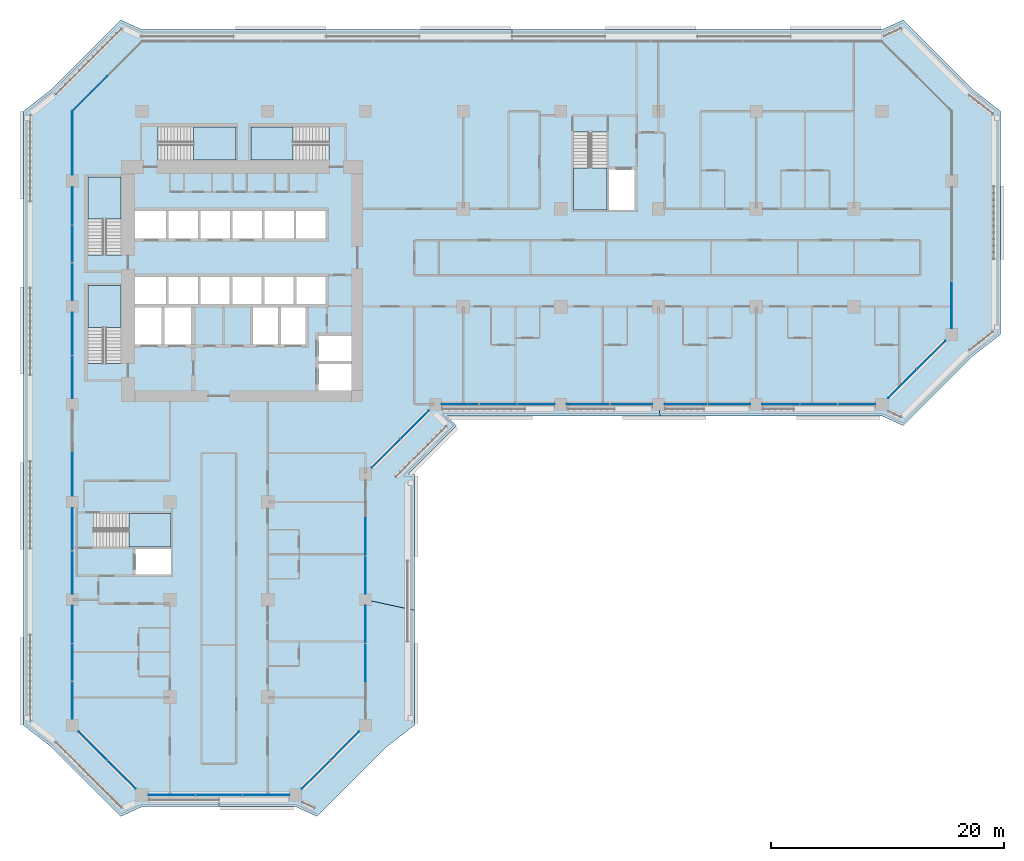
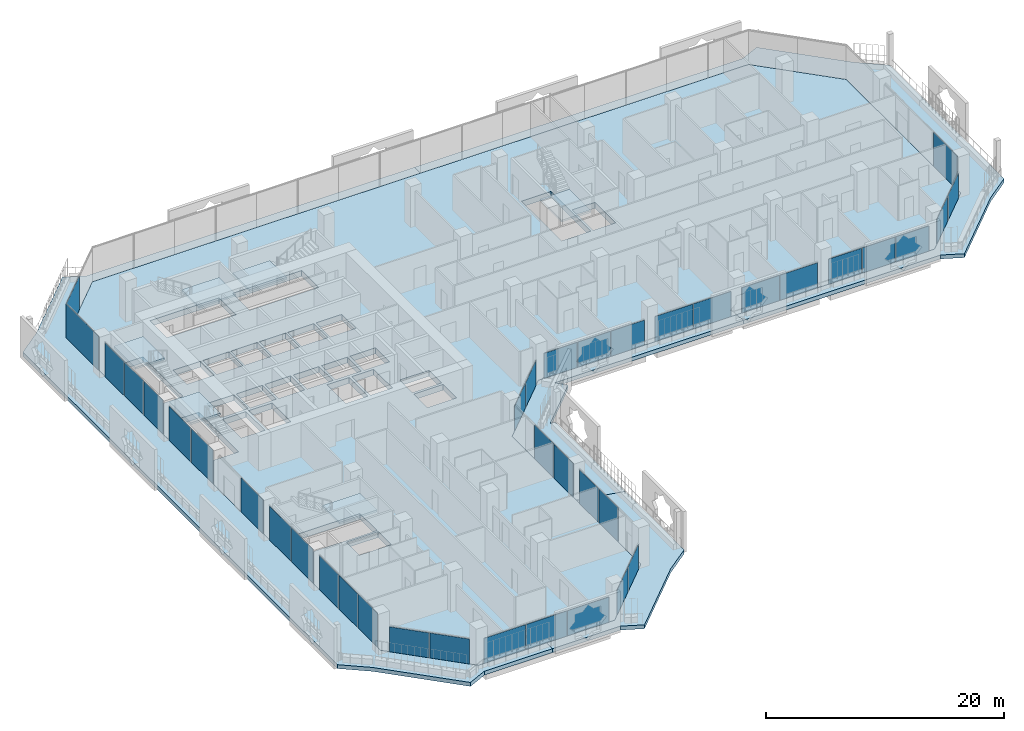
# One storey, part 10 of 25: 39 plates, 11 slabs, 16 elements without a shape of their own.
"""IFC4 building model written with IfcOpenShell, lengths in metres."""

from ifc_helpers import new_model, si_unit, direction, frame, origin, origin_2d, place, context, subcontext, project, spatial, polyline, rectangle, outline, extrude, material, layer, layer_set, type_object, element, aggregate, save


model = new_model("IFC4")

# Units and contexts
model_context = context("Model", 3, precision=1e-05, world=origin(), true_north=direction((0.0, 1.0)))
body_context = subcontext(model_context, "Body", "Model", "MODEL_VIEW")
ifc_project = project(units=[si_unit("LENGTHUNIT", "METRE"), si_unit("AREAUNIT", "SQUARE_METRE"), si_unit("VOLUMEUNIT", "CUBIC_METRE"), si_unit("PLANEANGLEUNIT", "RADIAN"), si_unit("MASSUNIT", "GRAM", prefix="KILO")], contexts=[model_context])

# Site, building, storey
site_placement = place(None, origin())
site = spatial("IfcSite", under=ifc_project, at=site_placement, CompositionType="ELEMENT")
building_placement = place(site_placement, origin())
building = spatial("IfcBuilding", under=site, at=building_placement, Name="Kawkab Arch Medical Tower", CompositionType="ELEMENT")
storey_placement = place(building_placement, frame((0.0, 0.0, 132.39990234375)))
storey = spatial("IfcBuildingStorey", under=building, at=storey_placement, Name="L30", CompositionType="ELEMENT", Elevation=132.39990234375)

# Curtain wall, plates
ifc_material_1 = material(Name="Bronze anodised aluminium curtain wall frame", Category="aluminium")
ifc_layer_1 = layer(ifc_material_1, 0.159912109375)
ifc_layer_set_1 = layer_set([ifc_layer_1], Name="Bronze anodised aluminium curtain wall frame")
curtain_wall_type_1 = type_object("IfcCurtainWallType", Name="CW1 ward curtain wall", PredefinedType="NOTDEFINED", material=ifc_layer_set_1)
placement_1 = place(storey_placement, origin())
curtain_wall_1 = element("IfcCurtainWall", 1, at=placement_1, inside=storey, type_object=curtain_wall_type_1, Name="CW1 Ward curtain wall R01", PredefinedType="NOTDEFINED")
ifc_material_2 = material(Name="Tinted insulating glass, bronze low-e coating", Category="glass")
ifc_layer_2 = layer(ifc_material_2, 0.031982421875)
ifc_layer_set_2 = layer_set([ifc_layer_2], Name="Tinted insulating glass, bronze low-e coating")
plate_type_1 = type_object("IfcPlateType", Name="CW1 glazing unit 32", PredefinedType="CURTAIN_PANEL", material=ifc_layer_set_2)
plate_1_placement = place(storey_placement, frame((0.0, -2.72509765625, 0.0), z_axis=(0.0, 0.0, 1.0), x_axis=(0.0, -1.0, 0.0)))
plate_1 = element("IfcPlate", 2, at=plate_1_placement, type_object=plate_type_1, Name="CW1 glazing unit 1.1", PredefinedType="CURTAIN_PANEL", context=body_context, shape_type="SweptSolid", body=[
    extrude(rectangle(XDim=5.449951171875, YDim=0.031982421875, at=origin_2d()), origin(), (0.0, 0.0, 1.0), 3.47998046875),
])
plate_2_placement = place(storey_placement, frame((0.0, -8.15576171875, 0.0), z_axis=(0.0, 0.0, 1.0), x_axis=(0.0, -1.0, 0.0)))
plate_2 = element("IfcPlate", 3, at=plate_2_placement, type_object=plate_type_1, Name="CW1 glazing unit 2.1", PredefinedType="CURTAIN_PANEL", context=body_context, shape_type="SweptSolid", body=[
    extrude(rectangle(XDim=3.211669921875, YDim=0.031982421875, at=origin_2d()), origin(), (0.0, 0.0, 1.0), 3.47998046875),
])
plate_3_placement = place(storey_placement, frame((0.0, -11.41259765625, 0.0), z_axis=(0.0, 0.0, 1.0), x_axis=(0.0, -1.0, 0.0)))
plate_3 = element("IfcPlate", 4, at=plate_3_placement, type_object=plate_type_1, Name="CW1 glazing unit 2.2", PredefinedType="CURTAIN_PANEL", context=body_context, shape_type="SweptSolid", body=[
    extrude(rectangle(XDim=3.181640625, YDim=0.031982421875, at=origin_2d()), origin(), (0.0, 0.0, 1.0), 3.47998046875),
])
plate_4_placement = place(storey_placement, frame((0.0, -14.669189453125, 0.0), z_axis=(0.0, 0.0, 1.0), x_axis=(0.0, -1.0, 0.0)))
plate_4 = element("IfcPlate", 5, at=plate_4_placement, type_object=plate_type_1, Name="CW1 glazing unit 2.3", PredefinedType="CURTAIN_PANEL", context=body_context, shape_type="SweptSolid", body=[
    extrude(rectangle(XDim=3.211669921875, YDim=0.031982421875, at=origin_2d()), origin(), (0.0, 0.0, 1.0), 3.47998046875),
])
plate_5_placement = place(storey_placement, frame((0.0, -19.1474609375, 0.0), z_axis=(0.0, 0.0, 1.0), x_axis=(0.0, -1.0, 0.0)))
plate_5 = element("IfcPlate", 6, at=plate_5_placement, type_object=plate_type_1, Name="CW1 glazing unit 3.1", PredefinedType="CURTAIN_PANEL", context=body_context, shape_type="SweptSolid", body=[
    extrude(rectangle(XDim=3.64501953125, YDim=0.031982421875, at=origin_2d()), origin(), (0.0, 0.0, 1.0), 3.47998046875),
])
plate_6_placement = place(storey_placement, frame((0.0, -22.8525390625, 0.0), z_axis=(0.0, 0.0, 1.0), x_axis=(0.0, -1.0, 0.0)))
plate_6 = element("IfcPlate", 7, at=plate_6_placement, type_object=plate_type_1, Name="CW1 glazing unit 3.2", PredefinedType="CURTAIN_PANEL", context=body_context, shape_type="SweptSolid", body=[
    extrude(rectangle(XDim=3.64501953125, YDim=0.031982421875, at=origin_2d()), origin(), (0.0, 0.0, 1.0), 3.47998046875),
])
plate_7_placement = place(storey_placement, frame((0.0, -31.237548828125, 0.0), z_axis=(0.0, 0.0, 1.0), x_axis=(0.0, -1.0, 0.0)))
plate_7 = element("IfcPlate", 8, at=plate_7_placement, type_object=plate_type_1, Name="CW1 glazing unit 4.2", PredefinedType="CURTAIN_PANEL", context=body_context, shape_type="SweptSolid", body=[
    extrude(rectangle(XDim=3.675048828125, YDim=0.031982421875, at=origin_2d()), origin(), (0.0, 0.0, 1.0), 3.47998046875),
])
plate_8_placement = place(storey_placement, frame((0.0, -35.947509765625, 0.0), z_axis=(0.0, 0.0, 1.0), x_axis=(0.0, -1.0, 0.0)))
plate_8 = element("IfcPlate", 9, at=plate_8_placement, type_object=plate_type_1, Name="CW1 glazing unit 5.1", PredefinedType="CURTAIN_PANEL", context=body_context, shape_type="SweptSolid", body=[
    extrude(rectangle(XDim=3.64501953125, YDim=0.031982421875, at=origin_2d()), origin(), (0.0, 0.0, 1.0), 3.47998046875),
])
plate_9_placement = place(storey_placement, frame((0.0, -39.652587890625, 0.0), z_axis=(0.0, 0.0, 1.0), x_axis=(0.0, -1.0, 0.0)))
plate_9 = element("IfcPlate", 10, at=plate_9_placement, type_object=plate_type_1, Name="CW1 glazing unit 5.2", PredefinedType="CURTAIN_PANEL", context=body_context, shape_type="SweptSolid", body=[
    extrude(rectangle(XDim=3.64501953125, YDim=0.031982421875, at=origin_2d()), origin(), (0.0, 0.0, 1.0), 3.47998046875),
])
plate_10_placement = place(storey_placement, frame((0.0, -44.130859375, 0.0), z_axis=(0.0, 0.0, 1.0), x_axis=(0.0, -1.0, 0.0)))
plate_10 = element("IfcPlate", 11, at=plate_10_placement, type_object=plate_type_1, Name="CW1 glazing unit 6.1", PredefinedType="CURTAIN_PANEL", context=body_context, shape_type="SweptSolid", body=[
    extrude(rectangle(XDim=3.211669921875, YDim=0.031982421875, at=origin_2d()), origin(), (0.0, 0.0, 1.0), 3.47998046875),
])
plate_11_placement = place(storey_placement, frame((0.0, -47.387451171875, 0.0), z_axis=(0.0, 0.0, 1.0), x_axis=(0.0, -1.0, 0.0)))
plate_11 = element("IfcPlate", 12, at=plate_11_placement, type_object=plate_type_1, Name="CW1 glazing unit 6.2", PredefinedType="CURTAIN_PANEL", context=body_context, shape_type="SweptSolid", body=[
    extrude(rectangle(XDim=3.181640625, YDim=0.031982421875, at=origin_2d()), origin(), (0.0, 0.0, 1.0), 3.47998046875),
])
plate_12_placement = place(storey_placement, frame((0.0, -50.644287109375, 0.0), z_axis=(0.0, 0.0, 1.0), x_axis=(0.0, -1.0, 0.0)))
plate_12 = element("IfcPlate", 13, at=plate_12_placement, type_object=plate_type_1, Name="CW1 glazing unit 6.3", PredefinedType="CURTAIN_PANEL", context=body_context, shape_type="SweptSolid", body=[
    extrude(rectangle(XDim=3.211669921875, YDim=0.031982421875, at=origin_2d()), origin(), (0.0, 0.0, 1.0), 3.47998046875),
])
aggregate(curtain_wall_1, [plate_1, plate_2, plate_3, plate_4, plate_5, plate_6, plate_7, plate_8, plate_9, plate_10, plate_11, plate_12])

curtain_wall_2 = element("IfcCurtainWall", 14, at=placement_1, inside=storey, type_object=curtain_wall_type_1, Name="CW1 Ward curtain wall R03", PredefinedType="NOTDEFINED")
plate_13_placement = place(storey_placement, frame((8.5517578125, -58.800048828125, 0.0), z_axis=(0.0, 0.0, 1.0), x_axis=(1.0, 0.0, 0.0)))
plate_13 = element("IfcPlate", 15, at=plate_13_placement, type_object=plate_type_1, Name="CW1 glazing unit 1.1", PredefinedType="CURTAIN_PANEL", context=body_context, shape_type="SweptSolid", body=[
    extrude(rectangle(XDim=4.00341796875, YDim=0.031982421875, at=origin_2d()), origin(), (0.0, 0.0, 1.0), 2.580078125),
])
plate_14_placement = place(storey_placement, frame((12.60009765625, -58.800048828125, 0.0), z_axis=(0.0, 0.0, 1.0), x_axis=(1.0, 0.0, 0.0)))
plate_14 = element("IfcPlate", 16, at=plate_14_placement, type_object=plate_type_1, Name="CW1 glazing unit 1.2", PredefinedType="CURTAIN_PANEL", context=body_context, shape_type="SweptSolid", body=[
    extrude(rectangle(XDim=3.973388671875, YDim=0.031982421875, at=origin_2d()), origin(), (0.0, 0.0, 1.0), 2.580078125),
])
plate_15_placement = place(storey_placement, frame((16.6484375, -58.800048828125, 0.0), z_axis=(0.0, 0.0, 1.0), x_axis=(1.0, 0.0, 0.0)))
plate_15 = element("IfcPlate", 17, at=plate_15_placement, type_object=plate_type_1, Name="CW1 glazing unit 1.3", PredefinedType="CURTAIN_PANEL", context=body_context, shape_type="SweptSolid", body=[
    extrude(rectangle(XDim=4.00341796875, YDim=0.031982421875, at=origin_2d()), origin(), (0.0, 0.0, 1.0), 2.580078125),
])
aggregate(curtain_wall_2, [plate_13, plate_14, plate_15])

curtain_wall_3 = element("IfcCurtainWall", 18, at=placement_1, inside=storey, type_object=curtain_wall_type_1, Name="CW1 Ward curtain wall R05", PredefinedType="NOTDEFINED")
plate_16_placement = place(storey_placement, frame((25.199951171875, -47.402587890625, 0.0), z_axis=(0.0, 0.0, 1.0), x_axis=(0.0, 1.0, 0.0)))
plate_16 = element("IfcPlate", 19, at=plate_16_placement, type_object=plate_type_1, Name="CW1 glazing unit 1.2", PredefinedType="CURTAIN_PANEL", context=body_context, shape_type="SweptSolid", body=[
    extrude(rectangle(XDim=3.211669921875, YDim=0.031982421875, at=origin_2d()), origin(), (0.0, 0.0, 1.0), 3.47998046875),
])
plate_17_placement = place(storey_placement, frame((25.199951171875, -44.130859375, 0.0), z_axis=(0.0, 0.0, 1.0), x_axis=(0.0, 1.0, 0.0)))
plate_17 = element("IfcPlate", 20, at=plate_17_placement, type_object=plate_type_1, Name="CW1 glazing unit 1.3", PredefinedType="CURTAIN_PANEL", context=body_context, shape_type="SweptSolid", body=[
    extrude(rectangle(XDim=3.211669921875, YDim=0.031982421875, at=origin_2d()), origin(), (0.0, 0.0, 1.0), 3.47998046875),
])
plate_18_placement = place(storey_placement, frame((25.199951171875, -39.869140625, 0.0), z_axis=(0.0, 0.0, 1.0), x_axis=(0.0, 1.0, 0.0)))
plate_18 = element("IfcPlate", 21, at=plate_18_placement, type_object=plate_type_1, Name="CW1 glazing unit 2.1", PredefinedType="CURTAIN_PANEL", context=body_context, shape_type="SweptSolid", body=[
    extrude(rectangle(XDim=3.211669921875, YDim=0.031982421875, at=origin_2d()), origin(), (0.0, 0.0, 1.0), 3.47998046875),
])
plate_19_placement = place(storey_placement, frame((25.199951171875, -36.597412109375, 0.0), z_axis=(0.0, 0.0, 1.0), x_axis=(0.0, 1.0, 0.0)))
plate_19 = element("IfcPlate", 22, at=plate_19_placement, type_object=plate_type_1, Name="CW1 glazing unit 2.2", PredefinedType="CURTAIN_PANEL", context=body_context, shape_type="SweptSolid", body=[
    extrude(rectangle(XDim=3.211669921875, YDim=0.031982421875, at=origin_2d()), origin(), (0.0, 0.0, 1.0), 3.47998046875),
])
aggregate(curtain_wall_3, [plate_16, plate_17, plate_18, plate_19])

curtain_wall_4 = element("IfcCurtainWall", 23, at=placement_1, inside=storey, type_object=curtain_wall_type_1, Name="CW1 Ward curtain wall R07", PredefinedType="NOTDEFINED")
plate_20_placement = place(storey_placement, frame((33.355712890625, -25.199951171875, 0.0), z_axis=(0.0, 0.0, 1.0), x_axis=(1.0, 0.0, 0.0)))
plate_20 = element("IfcPlate", 24, at=plate_20_placement, type_object=plate_type_1, Name="CW1 glazing unit 1.1", PredefinedType="CURTAIN_PANEL", context=body_context, shape_type="SweptSolid", body=[
    extrude(rectangle(XDim=3.211669921875, YDim=0.031982421875, at=origin_2d()), origin(), (0.0, 0.0, 1.0), 2.580078125),
])
plate_21_placement = place(storey_placement, frame((36.612548828125, -25.199951171875, 0.0), z_axis=(0.0, 0.0, 1.0), x_axis=(1.0, 0.0, 0.0)))
plate_21 = element("IfcPlate", 25, at=plate_21_placement, type_object=plate_type_1, Name="CW1 glazing unit 1.2", PredefinedType="CURTAIN_PANEL", context=body_context, shape_type="SweptSolid", body=[
    extrude(rectangle(XDim=3.181640625, YDim=0.031982421875, at=origin_2d()), origin(), (0.0, 0.0, 1.0), 2.580078125),
])
plate_22_placement = place(storey_placement, frame((39.869140625, -25.199951171875, 0.0), z_axis=(0.0, 0.0, 1.0), x_axis=(1.0, 0.0, 0.0)))
plate_22 = element("IfcPlate", 26, at=plate_22_placement, type_object=plate_type_1, Name="CW1 glazing unit 1.3", PredefinedType="CURTAIN_PANEL", context=body_context, shape_type="SweptSolid", body=[
    extrude(rectangle(XDim=3.211669921875, YDim=0.031982421875, at=origin_2d()), origin(), (0.0, 0.0, 1.0), 2.580078125),
])
plate_23_placement = place(storey_placement, frame((44.347412109375, -25.199951171875, 0.0), z_axis=(0.0, 0.0, 1.0), x_axis=(1.0, 0.0, 0.0)))
plate_23 = element("IfcPlate", 27, at=plate_23_placement, type_object=plate_type_1, Name="CW1 glazing unit 2.1", PredefinedType="CURTAIN_PANEL", context=body_context, shape_type="SweptSolid", body=[
    extrude(rectangle(XDim=3.64501953125, YDim=0.031982421875, at=origin_2d()), origin(), (0.0, 0.0, 1.0), 2.580078125),
])
plate_24_placement = place(storey_placement, frame((48.052490234375, -25.199951171875, 0.0), z_axis=(0.0, 0.0, 1.0), x_axis=(1.0, 0.0, 0.0)))
plate_24 = element("IfcPlate", 28, at=plate_24_placement, type_object=plate_type_1, Name="CW1 glazing unit 2.2", PredefinedType="CURTAIN_PANEL", context=body_context, shape_type="SweptSolid", body=[
    extrude(rectangle(XDim=3.64501953125, YDim=0.031982421875, at=origin_2d()), origin(), (0.0, 0.0, 1.0), 2.580078125),
])
plate_25_placement = place(storey_placement, frame((52.74755859375, -25.199951171875, 0.0), z_axis=(0.0, 0.0, 1.0), x_axis=(1.0, 0.0, 0.0)))
plate_25 = element("IfcPlate", 29, at=plate_25_placement, type_object=plate_type_1, Name="CW1 glazing unit 3.1", PredefinedType="CURTAIN_PANEL", context=body_context, shape_type="SweptSolid", body=[
    extrude(rectangle(XDim=3.64501953125, YDim=0.031982421875, at=origin_2d()), origin(), (0.0, 0.0, 1.0), 2.580078125),
])
plate_26_placement = place(storey_placement, frame((56.452392578125, -25.199951171875, 0.0), z_axis=(0.0, 0.0, 1.0), x_axis=(1.0, 0.0, 0.0)))
plate_26 = element("IfcPlate", 30, at=plate_26_placement, type_object=plate_type_1, Name="CW1 glazing unit 3.2", PredefinedType="CURTAIN_PANEL", context=body_context, shape_type="SweptSolid", body=[
    extrude(rectangle(XDim=3.64501953125, YDim=0.031982421875, at=origin_2d()), origin(), (0.0, 0.0, 1.0), 2.580078125),
])
plate_27_placement = place(storey_placement, frame((60.930908203125, -25.199951171875, 0.0), z_axis=(0.0, 0.0, 1.0), x_axis=(1.0, 0.0, 0.0)))
plate_27 = element("IfcPlate", 31, at=plate_27_placement, type_object=plate_type_1, Name="CW1 glazing unit 4.1", PredefinedType="CURTAIN_PANEL", context=body_context, shape_type="SweptSolid", body=[
    extrude(rectangle(XDim=3.211669921875, YDim=0.031982421875, at=origin_2d()), origin(), (0.0, 0.0, 1.0), 2.580078125),
])
plate_28_placement = place(storey_placement, frame((64.1875, -25.199951171875, 0.0), z_axis=(0.0, 0.0, 1.0), x_axis=(1.0, 0.0, 0.0)))
plate_28 = element("IfcPlate", 32, at=plate_28_placement, type_object=plate_type_1, Name="CW1 glazing unit 4.2", PredefinedType="CURTAIN_PANEL", context=body_context, shape_type="SweptSolid", body=[
    extrude(rectangle(XDim=3.181640625, YDim=0.031982421875, at=origin_2d()), origin(), (0.0, 0.0, 1.0), 2.580078125),
])
plate_29_placement = place(storey_placement, frame((67.444091796875, -25.199951171875, 0.0), z_axis=(0.0, 0.0, 1.0), x_axis=(1.0, 0.0, 0.0)))
plate_29 = element("IfcPlate", 33, at=plate_29_placement, type_object=plate_type_1, Name="CW1 glazing unit 4.3", PredefinedType="CURTAIN_PANEL", context=body_context, shape_type="SweptSolid", body=[
    extrude(rectangle(XDim=3.211669921875, YDim=0.031982421875, at=origin_2d()), origin(), (0.0, 0.0, 1.0), 2.580078125),
])
aggregate(curtain_wall_4, [plate_20, plate_21, plate_22, plate_23, plate_24, plate_25, plate_26, plate_27, plate_28, plate_29])

# Curtain wall, plate
curtain_wall_5 = element("IfcCurtainWall", 34, at=placement_1, inside=storey, type_object=curtain_wall_type_1, Name="CW1 Ward curtain wall R09", PredefinedType="NOTDEFINED")
plate_30_placement = place(storey_placement, frame((75.60009765625, -16.6484375, 0.0), z_axis=(0.0, 0.0, 1.0), x_axis=(0.0, 1.0, 0.0)))
plate_30 = element("IfcPlate", 35, at=plate_30_placement, type_object=plate_type_1, Name="CW1 glazing unit 1.1", PredefinedType="CURTAIN_PANEL", context=body_context, shape_type="SweptSolid", body=[
    extrude(rectangle(XDim=4.00341796875, YDim=0.031982421875, at=origin_2d()), origin(), (0.0, 0.0, 1.0), 3.47998046875),
])
aggregate(curtain_wall_5, [plate_30])

# Curtain wall, plates
ifc_material_3 = material(Name="Bronze anodised aluminium curtain wall frame", Category="aluminium")
ifc_layer_3 = layer(ifc_material_3, 0.159912109375)
ifc_layer_set_3 = layer_set([ifc_layer_3], Name="Bronze anodised aluminium curtain wall frame")
curtain_wall_type_2 = type_object("IfcCurtainWallType", Name="CW2 chamfer curtain wall", PredefinedType="NOTDEFINED", material=ifc_layer_set_3)
curtain_wall_6 = element("IfcCurtainWall", 36, at=placement_1, inside=storey, type_object=curtain_wall_type_2, Name="CW2 Chamfer curtain wall R02", PredefinedType="NOTDEFINED")
ifc_material_4 = material(Name="Tinted insulating glass, bronze low-e coating", Category="glass")
ifc_layer_4 = layer(ifc_material_4, 0.031982421875)
ifc_layer_set_4 = layer_set([ifc_layer_4], Name="Tinted insulating glass, bronze low-e coating")
plate_type_2 = type_object("IfcPlateType", Name="CW2 glazing unit 32", PredefinedType="CURTAIN_PANEL", material=ifc_layer_set_4)
plate_31_placement = place(storey_placement, frame((1.764404296875, -54.564453125, 0.0), z_axis=(0.0, 0.0, 1.0), x_axis=(0.707106781187, -0.707106781187, 0.0)))
plate_31 = element("IfcPlate", 37, at=plate_31_placement, type_object=plate_type_2, Name="CW2 glazing unit 1.1", PredefinedType="CURTAIN_PANEL", context=body_context, shape_type="SweptSolid", body=[
    extrude(rectangle(XDim=3.434814453125, YDim=0.031982421875, at=origin_2d()), origin(), (0.0, 0.0, 1.0), 2.56005859375),
])
plate_32_placement = place(storey_placement, frame((4.235595703125, -57.03564453125, 0.0), z_axis=(0.0, 0.0, 1.0), x_axis=(0.707106781187, -0.707106781187, 0.0)))
plate_32 = element("IfcPlate", 38, at=plate_32_placement, type_object=plate_type_2, Name="CW2 glazing unit 1.2", PredefinedType="CURTAIN_PANEL", context=body_context, shape_type="SweptSolid", body=[
    extrude(rectangle(XDim=3.434814453125, YDim=0.031982421875, at=origin_2d()), origin(), (0.0, 0.0, 1.0), 2.56005859375),
])
aggregate(curtain_wall_6, [plate_31, plate_32])

curtain_wall_7 = element("IfcCurtainWall", 39, at=placement_1, inside=storey, type_object=curtain_wall_type_2, Name="CW2 Chamfer curtain wall R04", PredefinedType="NOTDEFINED")
plate_33_placement = place(storey_placement, frame((20.96435546875, -57.03564453125, 0.0), z_axis=(0.0, 0.0, 1.0), x_axis=(0.707106781187, 0.707106781187, 0.0)))
plate_33 = element("IfcPlate", 40, at=plate_33_placement, type_object=plate_type_2, Name="CW2 glazing unit 1.1", PredefinedType="CURTAIN_PANEL", context=body_context, shape_type="SweptSolid", body=[
    extrude(rectangle(XDim=3.434814453125, YDim=0.031982421875, at=origin_2d()), origin(), (0.0, 0.0, 1.0), 2.56005859375),
])
plate_34_placement = place(storey_placement, frame((23.435546875, -54.564453125, 0.0), z_axis=(0.0, 0.0, 1.0), x_axis=(0.707106781187, 0.707106781187, 0.0)))
plate_34 = element("IfcPlate", 41, at=plate_34_placement, type_object=plate_type_2, Name="CW2 glazing unit 1.2", PredefinedType="CURTAIN_PANEL", context=body_context, shape_type="SweptSolid", body=[
    extrude(rectangle(XDim=3.434814453125, YDim=0.031982421875, at=origin_2d()), origin(), (0.0, 0.0, 1.0), 2.56005859375),
])
aggregate(curtain_wall_7, [plate_33, plate_34])

curtain_wall_8 = element("IfcCurtainWall", 42, at=placement_1, inside=storey, type_object=curtain_wall_type_2, Name="CW2 Chamfer curtain wall R06", PredefinedType="NOTDEFINED")
plate_35_placement = place(storey_placement, frame((26.96435546875, -29.435546875, 0.0), z_axis=(0.0, 0.0, 1.0), x_axis=(0.707106781187, 0.707106781187, 0.0)))
plate_35 = element("IfcPlate", 43, at=plate_35_placement, type_object=plate_type_2, Name="CW2 glazing unit 1.1", PredefinedType="CURTAIN_PANEL", context=body_context, shape_type="SweptSolid", body=[
    extrude(rectangle(XDim=3.434814453125, YDim=0.031982421875, at=origin_2d()), origin(), (0.0, 0.0, 1.0), 2.56005859375),
])
plate_36_placement = place(storey_placement, frame((29.435546875, -26.96435546875, 0.0), z_axis=(0.0, 0.0, 1.0), x_axis=(0.707106781187, 0.707106781187, 0.0)))
plate_36 = element("IfcPlate", 44, at=plate_36_placement, type_object=plate_type_2, Name="CW2 glazing unit 1.2", PredefinedType="CURTAIN_PANEL", context=body_context, shape_type="SweptSolid", body=[
    extrude(rectangle(XDim=3.434814453125, YDim=0.031982421875, at=origin_2d()), origin(), (0.0, 0.0, 1.0), 2.56005859375),
])
aggregate(curtain_wall_8, [plate_35, plate_36])

curtain_wall_9 = element("IfcCurtainWall", 45, at=placement_1, inside=storey, type_object=curtain_wall_type_2, Name="CW2 Chamfer curtain wall R08", PredefinedType="NOTDEFINED")
plate_37_placement = place(storey_placement, frame((71.364501953125, -23.435546875, 0.0), z_axis=(0.0, 0.0, 1.0), x_axis=(0.707106781187, 0.707106781187, 0.0)))
plate_37 = element("IfcPlate", 46, at=plate_37_placement, type_object=plate_type_2, Name="CW2 glazing unit 1.1", PredefinedType="CURTAIN_PANEL", context=body_context, shape_type="SweptSolid", body=[
    extrude(rectangle(XDim=3.434814453125, YDim=0.031982421875, at=origin_2d()), origin(), (0.0, 0.0, 1.0), 2.56005859375),
])
plate_38_placement = place(storey_placement, frame((73.835693359375, -20.96435546875, 0.0), z_axis=(0.0, 0.0, 1.0), x_axis=(0.707106781187, 0.707106781187, 0.0)))
plate_38 = element("IfcPlate", 47, at=plate_38_placement, type_object=plate_type_2, Name="CW2 glazing unit 1.2", PredefinedType="CURTAIN_PANEL", context=body_context, shape_type="SweptSolid", body=[
    extrude(rectangle(XDim=3.434814453125, YDim=0.031982421875, at=origin_2d()), origin(), (0.0, 0.0, 1.0), 2.56005859375),
])
aggregate(curtain_wall_9, [plate_37, plate_38])

# Curtain wall, plate
curtain_wall_10 = element("IfcCurtainWall", 48, at=placement_1, inside=storey, type_object=curtain_wall_type_2, Name="CW2 Chamfer curtain wall R12", PredefinedType="NOTDEFINED")
plate_39_placement = place(storey_placement, frame((1.5, 1.5, 0.0), z_axis=(0.0, 0.0, 1.0), x_axis=(-0.707106781187, -0.707106781187, 0.0)))
plate_39 = element("IfcPlate", 49, at=plate_39_placement, type_object=plate_type_2, Name="CW2 glazing unit 2.1", PredefinedType="CURTAIN_PANEL", context=body_context, shape_type="SweptSolid", body=[
    extrude(rectangle(XDim=4.24267578125, YDim=0.031982421875, at=origin_2d()), origin(), (0.0, 0.0, 1.0), 3.4599609375),
])
aggregate(curtain_wall_10, [plate_39])

# Stair, slab
ifc_material_5 = material(Name="Concrete C40/50", Category="concrete")
stair_type = type_object("IfcStairType", Name="Exit stair 1350", PredefinedType="HALF_TURN_STAIR", material=ifc_material_5)
stair_1 = element("IfcStair", 50, at=placement_1, inside=storey, type_object=stair_type, Name="L30 Exit stair ST1", PredefinedType="HALF_TURN_STAIR")
ifc_material_6 = material(Name="Concrete C40/50", Category="concrete")
ifc_layer_5 = layer(ifc_material_6, 0.199951171875)
ifc_layer_set_5 = layer_set([ifc_layer_5], Name="Concrete C40/50")
slab_type_1 = type_object("IfcSlabType", Name="Exit stair landing 200", PredefinedType="LANDING", material=ifc_layer_set_5)
placement_2 = place(storey_placement, frame((0.0, 0.0, 1.900146484375)))
slab_1 = element("IfcSlab", 51, at=placement_2, type_object=slab_type_1, Name="ST1 landing 1", PredefinedType="LANDING", context=body_context, shape_type="SweptSolid", body=[
    extrude(outline(polyline([(4.199951171875, -9.27001953125), (4.199951171875, -5.64990234375), (1.35009765625, -5.64990234375), (1.35009765625, -9.27001953125), (4.199951171875, -9.27001953125)])), origin(), (0.0, 0.0, 1.0), 0.199951171875),
])
aggregate(stair_1, [slab_1])

stair_2 = element("IfcStair", 52, at=placement_1, inside=storey, type_object=stair_type, Name="L30 Exit stair ST2", PredefinedType="HALF_TURN_STAIR")
slab_2 = element("IfcSlab", 53, at=placement_2, type_object=slab_type_1, Name="ST2 landing 1", PredefinedType="LANDING", context=body_context, shape_type="SweptSolid", body=[
    extrude(outline(polyline([(4.199951171875, -18.6201171875), (4.199951171875, -15.0), (1.35009765625, -15.0), (1.35009765625, -18.6201171875), (4.199951171875, -18.6201171875)])), origin(), (0.0, 0.0, 1.0), 0.199951171875),
])
aggregate(stair_2, [slab_2])

stair_3 = element("IfcStair", 54, at=placement_1, inside=storey, type_object=stair_type, Name="L30 Exit stair ST3", PredefinedType="HALF_TURN_STAIR")
slab_3 = element("IfcSlab", 55, at=placement_2, type_object=slab_type_1, Name="ST3 landing 1", PredefinedType="LANDING", context=body_context, shape_type="SweptSolid", body=[
    extrude(outline(polyline([(10.429931640625, -4.199951171875), (14.050048828125, -4.199951171875), (14.050048828125, -1.35009765625), (10.429931640625, -1.35009765625), (10.429931640625, -4.199951171875)])), origin(), (0.0, 0.0, 1.0), 0.199951171875),
])
aggregate(stair_3, [slab_3])

stair_4 = element("IfcStair", 56, at=placement_1, inside=storey, type_object=stair_type, Name="L30 Exit stair ST4", PredefinedType="HALF_TURN_STAIR")
slab_4 = element("IfcSlab", 57, at=placement_2, type_object=slab_type_1, Name="ST4 landing 1", PredefinedType="LANDING", context=body_context, shape_type="SweptSolid", body=[
    extrude(outline(polyline([(18.969970703125, -1.35009765625), (15.35009765625, -1.35009765625), (15.35009765625, -4.199951171875), (18.969970703125, -4.199951171875), (18.969970703125, -1.35009765625)])), origin(), (0.0, 0.0, 1.0), 0.199951171875),
])
aggregate(stair_4, [slab_4])

stair_5 = element("IfcStair", 58, at=placement_1, inside=storey, type_object=stair_type, Name="L30 Exit stair ST5", PredefinedType="HALF_TURN_STAIR")
slab_5 = element("IfcSlab", 59, at=placement_2, type_object=slab_type_1, Name="ST5 landing 1", PredefinedType="LANDING", context=body_context, shape_type="SweptSolid", body=[
    extrude(outline(polyline([(43.10009765625, -4.8798828125), (43.10009765625, -8.5), (45.949951171875, -8.5), (45.949951171875, -4.8798828125), (43.10009765625, -4.8798828125)])), origin(), (0.0, 0.0, 1.0), 0.199951171875),
])
aggregate(stair_5, [slab_5])

stair_6 = element("IfcStair", 60, at=placement_1, inside=storey, type_object=stair_type, Name="L30 Exit stair ST6", PredefinedType="HALF_TURN_STAIR")
slab_6 = element("IfcSlab", 61, at=placement_2, type_object=slab_type_1, Name="ST6 landing 1", PredefinedType="LANDING", context=body_context, shape_type="SweptSolid", body=[
    extrude(outline(polyline([(4.8798828125, -37.449951171875), (8.5, -37.449951171875), (8.5, -34.60009765625), (4.8798828125, -34.60009765625), (4.8798828125, -37.449951171875)])), origin(), (0.0, 0.0, 1.0), 0.199951171875),
])
aggregate(stair_6, [slab_6])

# Slabs
ifc_material_7 = material(Name="Concrete C45/55", Category="concrete")
ifc_layer_6 = layer(ifc_material_7, 0.60009765625)
ifc_layer_set_6 = layer_set([ifc_layer_6], Name="Concrete C45/55")
slab_type_2 = type_object("IfcSlabType", Name="Flat plate 600 C45/55", PredefinedType="FLOOR", material=ifc_layer_set_6)
slab_7_placement = place(storey_placement, frame((0.0, 0.0, -0.599853515625)))
element("IfcSlab", 62, at=slab_7_placement, inside=storey, type_object=slab_type_2, Name="Floor slab L30", PredefinedType="FLOOR", context=body_context, shape_type="SweptSolid", body=[
    extrude(outline(polyline([(6.0, 6.0), (69.60009765625, 6.0), (75.60009765625, 0.0), (75.60009765625, -19.199951171875), (69.60009765625, -25.199951171875), (31.199951171875, -25.199951171875), (25.199951171875, -31.199951171875), (25.199951171875, -52.800048828125), (19.199951171875, -58.800048828125), (6.0, -58.800048828125), (0.0, -52.800048828125), (0.0, 0.0), (6.0, 6.0)]), holes=[polyline([(5.425048828125, -37.64990234375), (5.425048828125, -39.85009765625), (8.5, -39.85009765625), (8.5, -37.64990234375), (5.425048828125, -37.64990234375)]), polyline([(1.800048828125, -37.449951171875), (8.5, -37.449951171875), (8.5, -34.60009765625), (1.800048828125, -34.60009765625), (1.800048828125, -37.449951171875)]), polyline([(5.39990234375, -16.89990234375), (5.39990234375, -20.050048828125), (7.675048828125, -20.050048828125), (7.675048828125, -16.89990234375), (5.39990234375, -16.89990234375)]), polyline([(10.199951171875, -16.89990234375), (7.925048828125, -16.89990234375), (7.925048828125, -20.050048828125), (10.199951171875, -20.050048828125), (10.199951171875, -16.89990234375)]), polyline([(4.199951171875, -21.699951171875), (4.199951171875, -15.0), (1.35009765625, -15.0), (1.35009765625, -21.699951171875), (4.199951171875, -21.699951171875)]), polyline([(5.39990234375, -14.25), (5.39990234375, -16.60009765625), (8.050048828125, -16.60009765625), (8.050048828125, -14.25), (5.39990234375, -14.25)]), polyline([(8.25, -16.60009765625), (10.800048828125, -16.60009765625), (10.800048828125, -14.25), (8.25, -14.25), (8.25, -16.60009765625)]), polyline([(13.52490234375, -14.25), (11.0, -14.25), (11.0, -16.60009765625), (13.52490234375, -16.60009765625), (13.52490234375, -14.25)]), polyline([(5.39990234375, -8.60009765625), (5.39990234375, -10.949951171875), (8.050048828125, -10.949951171875), (8.050048828125, -8.60009765625), (5.39990234375, -8.60009765625)]), polyline([(8.25, -10.949951171875), (10.800048828125, -10.949951171875), (10.800048828125, -8.60009765625), (8.25, -8.60009765625), (8.25, -10.949951171875)]), polyline([(11.0, -8.60009765625), (11.0, -10.949951171875), (13.550048828125, -10.949951171875), (13.550048828125, -8.60009765625), (11.0, -8.60009765625)]), polyline([(4.199951171875, -12.35009765625), (4.199951171875, -5.64990234375), (1.35009765625, -5.64990234375), (1.35009765625, -12.35009765625), (4.199951171875, -12.35009765625)]), polyline([(7.35009765625, -4.199951171875), (14.050048828125, -4.199951171875), (14.050048828125, -1.35009765625), (7.35009765625, -1.35009765625), (7.35009765625, -4.199951171875)]), polyline([(24.0, -21.72509765625), (21.14990234375, -21.72509765625), (21.14990234375, -24.0), (24.0, -24.0), (24.0, -21.72509765625)]), polyline([(24.0, -21.47509765625), (24.0, -19.35009765625), (21.14990234375, -19.35009765625), (21.14990234375, -21.47509765625), (24.0, -21.47509765625)]), polyline([(15.52490234375, -16.89990234375), (15.52490234375, -20.050048828125), (17.675048828125, -20.050048828125), (17.675048828125, -16.89990234375), (15.52490234375, -16.89990234375)]), polyline([(20.050048828125, -20.050048828125), (20.050048828125, -16.89990234375), (17.925048828125, -16.89990234375), (17.925048828125, -20.050048828125), (20.050048828125, -20.050048828125)]), polyline([(16.27490234375, -14.25), (13.77490234375, -14.25), (13.77490234375, -16.60009765625), (16.27490234375, -16.60009765625), (16.27490234375, -14.25)]), polyline([(16.52490234375, -16.60009765625), (19.02490234375, -16.60009765625), (19.02490234375, -14.25), (16.52490234375, -14.25), (16.52490234375, -16.60009765625)]), polyline([(19.27490234375, -16.60009765625), (21.75, -16.60009765625), (21.75, -14.25), (19.27490234375, -14.25), (19.27490234375, -16.60009765625)]), polyline([(13.75, -8.60009765625), (13.75, -10.949951171875), (16.300048828125, -10.949951171875), (16.300048828125, -8.60009765625), (13.75, -8.60009765625)]), polyline([(19.050048828125, -10.949951171875), (19.050048828125, -8.60009765625), (16.5, -8.60009765625), (16.5, -10.949951171875), (19.050048828125, -10.949951171875)]), polyline([(19.25, -10.949951171875), (21.75, -10.949951171875), (21.75, -8.60009765625), (19.25, -8.60009765625), (19.25, -10.949951171875)]), polyline([(46.14990234375, -5.02490234375), (46.14990234375, -8.5), (48.35009765625, -8.5), (48.35009765625, -5.02490234375), (46.14990234375, -5.02490234375)]), polyline([(43.10009765625, -1.800048828125), (43.10009765625, -8.5), (45.949951171875, -8.5), (45.949951171875, -1.800048828125), (43.10009765625, -1.800048828125)]), polyline([(22.050048828125, -1.35009765625), (15.35009765625, -1.35009765625), (15.35009765625, -4.199951171875), (22.050048828125, -4.199951171875), (22.050048828125, -1.35009765625)])]), origin(), (0.0, 0.0, 1.0), 0.599853515625),
])
ifc_material_8 = material(Name="Concrete C40/50", Category="concrete")
ifc_layer_7 = layer(ifc_material_8, 0.39990234375)
ifc_layer_set_7 = layer_set([ifc_layer_7], Name="Concrete C40/50")
slab_type_3 = type_object("IfcSlabType", Name="Loggia slab 400", PredefinedType="FLOOR", material=ifc_layer_set_7)
placement_3 = place(storey_placement, frame((0.0, 0.0, -0.39990234375)))
element("IfcSlab", 63, at=placement_3, inside=storey, type_object=slab_type_3, Name="Loggia slab L30.1", PredefinedType="FLOOR", context=body_context, shape_type="SweptSolid", body=[
    extrude(outline(polyline([(19.199951171875, -59.800048828125), (12.60009765625, -59.800048828125), (12.60009765625, -58.800048828125), (19.199951171875, -58.800048828125), (25.199951171875, -52.800048828125), (25.199951171875, -42.0), (29.39990234375, -42.9130859375), (29.39990234375, -52.800048828125), (27.0380859375, -54.637939453125), (21.0380859375, -60.637939453125), (19.199951171875, -59.800048828125)])), origin(), (0.0, 0.0, 1.0), 0.39990234375),
])
element("IfcSlab", 64, at=placement_3, inside=storey, type_object=slab_type_3, Name="Loggia slab L30.2", PredefinedType="FLOOR", context=body_context, shape_type="SweptSolid", body=[
    extrude(outline(polyline([(33.037109375, -27.0380859375), (28.8759765625, -31.199951171875), (29.39990234375, -31.199951171875), (29.39990234375, -42.9130859375), (25.199951171875, -42.0), (25.199951171875, -31.199951171875), (31.199951171875, -25.199951171875), (50.39990234375, -25.199951171875), (50.534912109375, -26.199951171875), (32.198974609375, -26.199951171875), (33.037109375, -27.0380859375)])), origin(), (0.0, 0.0, 1.0), 0.39990234375),
])
element("IfcSlab", 65, at=placement_3, inside=storey, type_object=slab_type_3, Name="Loggia slab L30.3", PredefinedType="FLOOR", context=body_context, shape_type="SweptSolid", body=[
    extrude(outline(polyline([(-4.199951171875, 0.0), (-1.837890625, 1.837890625), (4.162109375, 7.837890625), (6.0, 7.0), (37.800048828125, 7.0), (37.800048828125, 6.0), (6.0, 6.0), (0.0, 0.0), (-0.0009765625, 0.0), (-0.0009765625, -52.800048828125), (0.0, -52.800048828125), (6.0, -58.800048828125), (12.60009765625, -58.800048828125), (12.60009765625, -59.800048828125), (6.0, -59.800048828125), (4.162109375, -60.637939453125), (-1.837890625, -54.637939453125), (-4.199951171875, -52.800048828125), (-4.199951171875, 0.0)])), origin(), (0.0, 0.0, 1.0), 0.39990234375),
])
element("IfcSlab", 66, at=placement_3, inside=storey, type_object=slab_type_3, Name="Loggia slab L30.4", PredefinedType="FLOOR", context=body_context, shape_type="SweptSolid", body=[
    extrude(outline(polyline([(37.800048828125, 7.0), (69.60009765625, 7.0), (71.43798828125, 7.837890625), (77.43798828125, 1.837890625), (79.800048828125, 0.0), (79.800048828125, -19.199951171875), (77.43798828125, -21.0380859375), (71.43798828125, -27.0380859375), (69.60009765625, -26.199951171875), (50.534912109375, -26.199951171875), (50.39990234375, -25.199951171875), (69.60009765625, -25.199951171875), (75.60009765625, -19.199951171875), (75.60009765625, 0.0), (69.60009765625, 6.0), (37.800048828125, 6.0), (37.800048828125, 7.0)])), origin(), (0.0, 0.0, 1.0), 0.39990234375),
])

save(model, "model.ifc")
